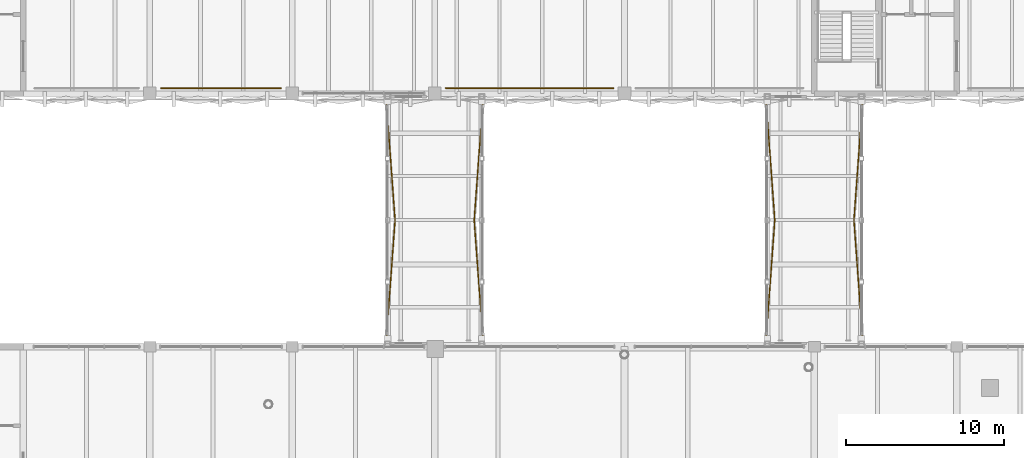
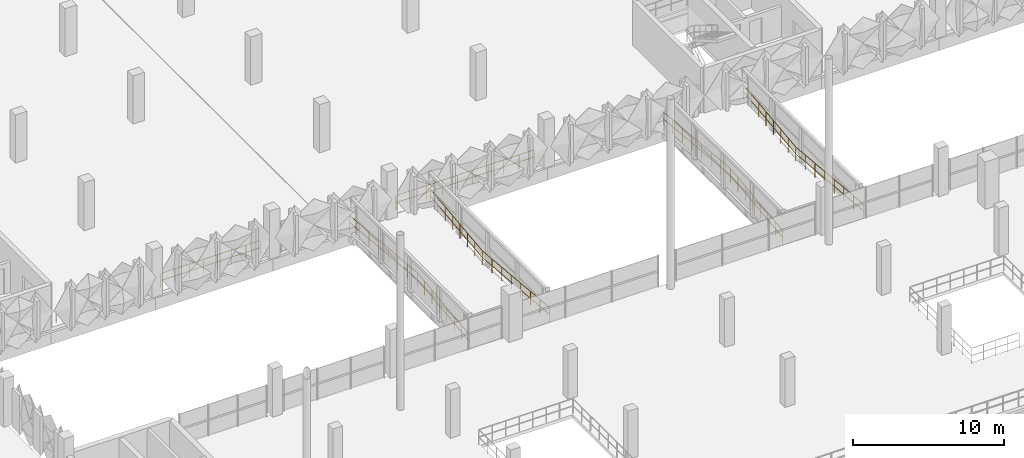
# One storey, part 113 of 123: 6 railings.
"""IFC4 building model written with IfcOpenShell, lengths in metres."""

import ifcopenshell
import ifcopenshell.guid

model = None  # the IFC model being written
_history = None  # IfcOwnerHistory: only IFC2X3 demands one
_inside = {}  # id of a spatial element -> (the spatial element, [elements in it])
_under = {}  # id of a project, library or spatial element -> (it, [spatial elements below it])
_declared = {}  # id of a project -> (the project, [libraries it declares])
_typed = {}  # id of a type object -> (the type object, [elements of that type])
_made_of = {}  # id of a material, layer set ... -> (it, [elements and type objects made of it])


def new_model(schema):
    """Start an empty IFC model of exactly this schema.

    Asked for "IFC4X3", IfcOpenShell would pick the latest addendum, in which some entities
    have other attributes; the version numbers below select the first issue.
    IFC2X3 requires an IfcOwnerHistory on every rooted entity: one is made here for all.
    """
    global model, _history
    if schema == "IFC4X3":
        model = ifcopenshell.file(schema_version=(4, 3, 0, 0))
    else:
        model = ifcopenshell.file(schema=schema)
    _inside.clear()
    _under.clear()
    _declared.clear()
    _typed.clear()
    _made_of.clear()
    _history = None
    if model.schema == "IFC2X3":
        org = make("IfcOrganization", Name="unknown")
        user = make(
            "IfcPersonAndOrganization",
            ThePerson=make("IfcPerson", FamilyName="unknown"),
            TheOrganization=org,
        )
        app = make(
            "IfcApplication",
            ApplicationDeveloper=org,
            Version="unknown",
            ApplicationFullName="unknown",
            ApplicationIdentifier="unknown",
        )
        _history = make(
            "IfcOwnerHistory",
            OwningUser=user,
            OwningApplication=app,
            ChangeAction="ADDED",
            CreationDate=0,
        )
    return model


def make(cls, **values):
    """One entity of the class cls with the attributes given. An attribute that is None is left unset."""
    return model.create_entity(
        cls, **{name: value for name, value in values.items() if value is not None}
    )


def rooted(cls, **values):
    """An entity with a GlobalId (a new one), such as an element, a storey or a relation."""
    return make(cls, GlobalId=ifcopenshell.guid.new(), OwnerHistory=_history, **values)


def si_unit(unit_type, name, prefix=None):
    """IfcSIUnit, for example si_unit("LENGTHUNIT", "METRE", prefix="MILLI")."""
    return make("IfcSIUnit", UnitType=unit_type, Prefix=prefix, Name=name)


def derived_unit(unit_type, elements):
    """IfcDerivedUnit: a product of units, each with its exponent."""
    return make(
        "IfcDerivedUnit",
        Elements=[
            make("IfcDerivedUnitElement", Unit=unit, Exponent=power)
            for unit, power in elements
        ],
        UnitType=unit_type,
    )


def assignment(units):
    """IfcUnitAssignment: the units of a project."""
    return None if units is None else make("IfcUnitAssignment", Units=units)


def point(xyz):
    """IfcCartesianPoint."""
    return None if xyz is None else make("IfcCartesianPoint", Coordinates=xyz)


def direction(xyz):
    """IfcDirection."""
    return None if xyz is None else make("IfcDirection", DirectionRatios=xyz)


def frame(location, z_axis=None, x_axis=None):
    """IfcAxis2Placement3D, a coordinate frame: its origin and axes. An axis left out is left unset."""
    return make(
        "IfcAxis2Placement3D",
        Location=point(location),
        Axis=direction(z_axis),
        RefDirection=direction(x_axis),
    )


def frame_2d(location, x_axis=None):
    """IfcAxis2Placement2D, a coordinate frame in the plane: its origin and x axis."""
    return make(
        "IfcAxis2Placement2D", Location=point(location), RefDirection=direction(x_axis)
    )


def origin():
    """The frame at (0, 0, 0) with its axes left unset."""
    return frame((0.0, 0.0, 0.0))


def origin_2d():
    """The frame at (0, 0) in the plane with its x axis left unset."""
    return frame_2d((0.0, 0.0))


def place(relative_to, where):
    """IfcLocalPlacement: puts the frame where relative to a parent placement (None: the world)."""
    return make(
        "IfcLocalPlacement", PlacementRelTo=relative_to, RelativePlacement=where
    )


def context(
    kind, dimensions, precision=None, world=None, true_north=None, identifier=None
):
    """IfcGeometricRepresentationContext, for example the 3D "Model" context."""
    return make(
        "IfcGeometricRepresentationContext",
        ContextIdentifier=identifier,
        ContextType=kind,
        CoordinateSpaceDimension=dimensions,
        Precision=precision,
        WorldCoordinateSystem=world,
        TrueNorth=true_north,
    )


def subcontext(parent, identifier, kind, view, scale=None):
    """IfcGeometricRepresentationSubContext, for example "Body" below "Model"."""
    return make(
        "IfcGeometricRepresentationSubContext",
        ContextIdentifier=identifier,
        ContextType=kind,
        ParentContext=parent,
        TargetScale=scale,
        TargetView=view,
    )


def project(units=None, contexts=None):
    """IfcProject with its units and contexts."""
    return rooted(
        "IfcProject",
        Name="project",
        RepresentationContexts=contexts,
        UnitsInContext=assignment(units),
    )


def spatial(cls, under=None, at=None, **own):
    """A site, building, storey or space (cls), placed at a placement, below another one or the project."""
    s = rooted(cls, ObjectPlacement=at, **own)
    if under is not None:
        _under.setdefault(under.id(), (under, []))[1].append(s)
    return s


def profile(cls, at=None, kind="AREA", **sizes):
    """A parametric profile (cls). Its sizes go by their IFC names, for example OverallWidth=200.0."""
    return make(cls, ProfileType=kind, Position=at, **sizes)


def circle(**sizes):
    """IfcCircleProfileDef."""
    return profile("IfcCircleProfileDef", **sizes)


def extrude(swept, where, along, depth):
    """IfcExtrudedAreaSolid: the profile swept, set in the frame where, extruded along a direction by depth."""
    return make(
        "IfcExtrudedAreaSolid",
        SweptArea=swept,
        Position=where,
        ExtrudedDirection=direction(along),
        Depth=depth,
    )


def shape(context_of_items, identifier, shape_type, items):
    """IfcShapeRepresentation: the items that make up one representation, for example the "Body"."""
    return make(
        "IfcShapeRepresentation",
        ContextOfItems=context_of_items,
        RepresentationIdentifier=identifier,
        RepresentationType=shape_type,
        Items=items,
    )


def material(Name=None, Category=None):
    """IfcMaterial."""
    return make("IfcMaterial", Name=Name, Category=Category)


def made_of(thing, what):
    """Note that an element or type object is made of a material, layer set ...; save() writes the relation."""
    if what is not None:
        _made_of.setdefault(what.id(), (what, []))[1].append(thing)
    return thing


def type_object(cls, material=None, **own):
    """A type object (cls), such as IfcWallType, which elements share."""
    return made_of(rooted(cls, **own), material)


def element(
    cls,
    number,
    at=None,
    inside=None,
    cuts=None,
    type_object=None,
    material=None,
    context=None,
    identifier="Body",
    shape_type=None,
    held_by="IfcProductDefinitionShape",
    body=None,
    shapes=None,
    **own,
):
    """One element of the class cls, such as IfcWall. Its Tag is "e" and its number.

    at: its placement. inside: the storey or other place that contains it. cuts: it is an
    opening in that element (IfcRelVoidsElement). A single representation is given by context,
    identifier, shape_type and body (its items); several are given by shapes. held_by: the class
    of the entity that holds the representations. save() writes the other relations.
    """
    e = rooted(cls, Tag="e%d" % number, ObjectPlacement=at, **own)
    if body is not None:
        shapes = [shape(context, identifier, shape_type, body)]
    if shapes is not None:
        e.Representation = make(held_by, Representations=shapes)
    if inside is not None:
        _inside.setdefault(inside.id(), (inside, []))[1].append(e)
    if cuts is not None:
        rooted(
            "IfcRelVoidsElement", RelatingBuildingElement=cuts, RelatedOpeningElement=e
        )
    if type_object is not None:
        _typed.setdefault(type_object.id(), (type_object, []))[1].append(e)
    return made_of(e, material)


def aggregate(whole, parts):
    """IfcRelAggregates: a whole, such as a stair, and the parts it consists of."""
    return rooted("IfcRelAggregates", RelatingObject=whole, RelatedObjects=parts)


def save(model, path):
    """Write the relations noted so far, then the file.

    IfcRelAggregates (storeys below a building ...), IfcRelContainedInSpatialStructure (elements
    in a storey), IfcRelDefinesByType, IfcRelAssociatesMaterial and IfcRelDeclares: one each for
    every whole, place, type object, material and project.
    """
    for whole, parts in _under.values():
        aggregate(whole, parts)
    for where, things in _inside.values():
        rooted(
            "IfcRelContainedInSpatialStructure",
            RelatedElements=things,
            RelatingStructure=where,
        )
    for kind, things in _typed.values():
        rooted("IfcRelDefinesByType", RelatedObjects=things, RelatingType=kind)
    for what, things in _made_of.values():
        rooted("IfcRelAssociatesMaterial", RelatedObjects=things, RelatingMaterial=what)
    for by, libraries in _declared.values():
        rooted("IfcRelDeclares", RelatingContext=by, RelatedDefinitions=libraries)
    model.write(path)


model = new_model("IFC4")

# Units and contexts
model_context = context("Model", 3, precision=1e-05, world=origin(), true_north=direction((0.0, 1.0)))
body_context = subcontext(model_context, "Body", "Model", "MODEL_VIEW")
ifc_project = project(units=[si_unit("LENGTHUNIT", "METRE"), si_unit("AREAUNIT", "SQUARE_METRE"), si_unit("VOLUMEUNIT", "CUBIC_METRE"), si_unit("PLANEANGLEUNIT", "RADIAN"), si_unit("MASSUNIT", "GRAM", prefix="KILO"), si_unit("THERMODYNAMICTEMPERATUREUNIT", "KELVIN"), derived_unit("THERMALTRANSMITTANCEUNIT", [(si_unit("POWERUNIT", "WATT"), 1), (si_unit("AREAUNIT", "SQUARE_METRE"), -1), (si_unit("THERMODYNAMICTEMPERATUREUNIT", "KELVIN"), -1)])], contexts=[model_context])

# Site, building, storey
site_placement = place(None, origin())
site = spatial("IfcSite", under=ifc_project, at=site_placement, CompositionType="ELEMENT")
building_placement = place(site_placement, origin())
building = spatial("IfcBuilding", under=site, at=building_placement, Name="Haiyu Intermodal Mobility Hub", CompositionType="ELEMENT")
storey_placement = place(building_placement, frame((0.0, 0.0, 5.60009765625)))
storey = spatial("IfcBuildingStorey", under=building, at=storey_placement, Name="L01", CompositionType="ELEMENT", Elevation=5.60009765625)

# Railings
ifc_material = material(Name="Steel Q355C", Category="steel")
railing_type_1 = type_object("IfcRailingType", Name="RAL-GR01", PredefinedType="GUARDRAIL", material=ifc_material)
railing_1_placement = place(storey_placement, frame((78.699951171875, 104.340087890625, 0.0)))
element("IfcRailing", 1, at=railing_1_placement, inside=storey, type_object=railing_type_1, Name="RAL-CAR-S-0115", PredefinedType="GUARDRAIL", context=body_context, shape_type="SweptSolid", body=[
    extrude(circle(Radius=0.02392578125, at=origin_2d()), frame((0.030029296875, 0.0, 1.17578125), z_axis=(1.0, 0.0, 0.0), x_axis=(0.0, 1.0, 0.0)), (0.0, 0.0, 1.0), 7.5400390625),
    extrude(circle(Radius=0.02392578125, at=origin_2d()), frame((0.037353515625, 0.0, 0.60009765625), z_axis=(1.0, 0.0, 0.0), x_axis=(0.0, 1.0, 0.0)), (0.0, 0.0, 1.0), 1.01123046875),
    extrude(circle(Radius=0.02392578125, at=origin_2d()), frame((1.123046875, 0.0, 0.60009765625), z_axis=(1.0, 0.0, 0.0), x_axis=(0.0, 1.0, 0.0)), (0.0, 0.0, 1.0), 1.01123046875),
    extrude(circle(Radius=0.02392578125, at=origin_2d()), frame((2.208740234375, 0.0, 0.60009765625), z_axis=(1.0, 0.0, 0.0), x_axis=(0.0, 1.0, 0.0)), (0.0, 0.0, 1.0), 1.01123046875),
    extrude(circle(Radius=0.02392578125, at=origin_2d()), frame((3.29443359375, 0.0, 0.60009765625), z_axis=(1.0, 0.0, 0.0), x_axis=(0.0, 1.0, 0.0)), (0.0, 0.0, 1.0), 1.01123046875),
    extrude(circle(Radius=0.02392578125, at=origin_2d()), frame((4.380126953125, 0.0, 0.60009765625), z_axis=(1.0, 0.0, 0.0), x_axis=(0.0, 1.0, 0.0)), (0.0, 0.0, 1.0), 1.01123046875),
    extrude(circle(Radius=0.02392578125, at=origin_2d()), frame((5.4658203125, 0.0, 0.60009765625), z_axis=(1.0, 0.0, 0.0), x_axis=(0.0, 1.0, 0.0)), (0.0, 0.0, 1.0), 1.01123046875),
    extrude(circle(Radius=0.02392578125, at=origin_2d()), frame((6.5517578125, 0.0, 0.60009765625), z_axis=(1.0, 0.0, 0.0), x_axis=(0.0, 1.0, 0.0)), (0.0, 0.0, 1.0), 1.01123046875),
    extrude(circle(Radius=0.02099609375, at=origin_2d()), origin(), (0.0, 0.0, 1.0), 1.143798828125),
    extrude(circle(Radius=0.02099609375, at=origin_2d()), frame((1.085693359375, 0.0, 0.0)), (0.0, 0.0, 1.0), 1.143798828125),
    extrude(circle(Radius=0.02099609375, at=origin_2d()), frame((2.17138671875, 0.0, 0.0)), (0.0, 0.0, 1.0), 1.143798828125),
    extrude(circle(Radius=0.02099609375, at=origin_2d()), frame((3.257080078125, 0.0, 0.0)), (0.0, 0.0, 1.0), 1.143798828125),
    extrude(circle(Radius=0.02099609375, at=origin_2d()), frame((4.343017578125, 0.0, 0.0)), (0.0, 0.0, 1.0), 1.143798828125),
    extrude(circle(Radius=0.02099609375, at=origin_2d()), frame((5.4287109375, 0.0, 0.0)), (0.0, 0.0, 1.0), 1.143798828125),
    extrude(circle(Radius=0.02099609375, at=origin_2d()), frame((6.514404296875, 0.0, 0.0)), (0.0, 0.0, 1.0), 1.143798828125),
    extrude(circle(Radius=0.02099609375, at=origin_2d()), frame((7.60009765625, 0.0, 0.0)), (0.0, 0.0, 1.0), 1.143798828125),
])
railing_2_placement = place(storey_placement, frame((96.699951171875, 104.340087890625, 0.0)))
element("IfcRailing", 2, at=railing_2_placement, inside=storey, type_object=railing_type_1, Name="RAL-CAR-S-0126", PredefinedType="GUARDRAIL", context=body_context, shape_type="SweptSolid", body=[
    extrude(circle(Radius=0.02392578125, at=origin_2d()), frame((0.030029296875, 0.0, 1.17578125), z_axis=(1.0, 0.0, 0.0), x_axis=(0.0, 1.0, 0.0)), (0.0, 0.0, 1.0), 10.5400390625),
    extrude(circle(Radius=0.02392578125, at=origin_2d()), frame((0.037353515625, 0.0, 0.60009765625), z_axis=(1.0, 0.0, 0.0), x_axis=(0.0, 1.0, 0.0)), (0.0, 0.0, 1.0), 1.103271484375),
    extrude(circle(Radius=0.02392578125, at=origin_2d()), frame((1.215087890625, 0.0, 0.60009765625), z_axis=(1.0, 0.0, 0.0), x_axis=(0.0, 1.0, 0.0)), (0.0, 0.0, 1.0), 1.103271484375),
    extrude(circle(Radius=0.02392578125, at=origin_2d()), frame((2.392822265625, 0.0, 0.60009765625), z_axis=(1.0, 0.0, 0.0), x_axis=(0.0, 1.0, 0.0)), (0.0, 0.0, 1.0), 1.103271484375),
    extrude(circle(Radius=0.02392578125, at=origin_2d()), frame((3.570556640625, 0.0, 0.60009765625), z_axis=(1.0, 0.0, 0.0), x_axis=(0.0, 1.0, 0.0)), (0.0, 0.0, 1.0), 1.103271484375),
    extrude(circle(Radius=0.02392578125, at=origin_2d()), frame((4.74853515625, 0.0, 0.60009765625), z_axis=(1.0, 0.0, 0.0), x_axis=(0.0, 1.0, 0.0)), (0.0, 0.0, 1.0), 1.103271484375),
    extrude(circle(Radius=0.02392578125, at=origin_2d()), frame((5.92626953125, 0.0, 0.60009765625), z_axis=(1.0, 0.0, 0.0), x_axis=(0.0, 1.0, 0.0)), (0.0, 0.0, 1.0), 1.103271484375),
    extrude(circle(Radius=0.02392578125, at=origin_2d()), frame((7.10400390625, 0.0, 0.60009765625), z_axis=(1.0, 0.0, 0.0), x_axis=(0.0, 1.0, 0.0)), (0.0, 0.0, 1.0), 1.103271484375),
    extrude(circle(Radius=0.02392578125, at=origin_2d()), frame((8.28173828125, 0.0, 0.60009765625), z_axis=(1.0, 0.0, 0.0), x_axis=(0.0, 1.0, 0.0)), (0.0, 0.0, 1.0), 1.103271484375),
    extrude(circle(Radius=0.02392578125, at=origin_2d()), frame((9.459716796875, 0.0, 0.60009765625), z_axis=(1.0, 0.0, 0.0), x_axis=(0.0, 1.0, 0.0)), (0.0, 0.0, 1.0), 1.103271484375),
    extrude(circle(Radius=0.02099609375, at=origin_2d()), origin(), (0.0, 0.0, 1.0), 1.143798828125),
    extrude(circle(Radius=0.02099609375, at=origin_2d()), frame((1.177734375, 0.0, 0.0)), (0.0, 0.0, 1.0), 1.143798828125),
    extrude(circle(Radius=0.02099609375, at=origin_2d()), frame((2.35546875, 0.0, 0.0)), (0.0, 0.0, 1.0), 1.143798828125),
    extrude(circle(Radius=0.02099609375, at=origin_2d()), frame((3.533447265625, 0.0, 0.0)), (0.0, 0.0, 1.0), 1.143798828125),
    extrude(circle(Radius=0.02099609375, at=origin_2d()), frame((4.711181640625, 0.0, 0.0)), (0.0, 0.0, 1.0), 1.143798828125),
    extrude(circle(Radius=0.02099609375, at=origin_2d()), frame((5.888916015625, 0.0, 0.0)), (0.0, 0.0, 1.0), 1.143798828125),
    extrude(circle(Radius=0.02099609375, at=origin_2d()), frame((7.066650390625, 0.0, 0.0)), (0.0, 0.0, 1.0), 1.143798828125),
    extrude(circle(Radius=0.02099609375, at=origin_2d()), frame((8.24462890625, 0.0, 0.0)), (0.0, 0.0, 1.0), 1.143798828125),
    extrude(circle(Radius=0.02099609375, at=origin_2d()), frame((9.42236328125, 0.0, 0.0)), (0.0, 0.0, 1.0), 1.143798828125),
    extrude(circle(Radius=0.02099609375, at=origin_2d()), frame((10.60009765625, 0.0, 0.0)), (0.0, 0.0, 1.0), 1.143798828125),
])
railing_type_2 = type_object("IfcRailingType", Name="RAL-GR03", PredefinedType="GUARDRAIL", material=ifc_material)
railing_3_placement = place(storey_placement, frame((92.919921875, 88.080078125, 0.0)))
element("IfcRailing", 3, at=railing_3_placement, inside=storey, type_object=railing_type_2, Name="Bridge BW West Tapered Sill Guardrail", PredefinedType="GUARDRAIL", context=body_context, shape_type="SweptSolid", body=[
    extrude(circle(Radius=0.02392578125, at=origin_2d()), frame((0.002197265625, 0.030029296875, 1.1259765625), z_axis=(0.073047240224, 0.997328481843, 0.0), x_axis=(-0.997328481843, 0.073047240224, 0.0)), (0.0, 0.0, 1.0), 7.881103515625),
    extrude(circle(Radius=0.02392578125, at=origin_2d()), frame((0.002685546875, 0.037109375, 0.574951171875), z_axis=(0.073047240224, 0.997328481843, 0.0), x_axis=(-0.997328481843, 0.073047240224, 0.0)), (0.0, 0.0, 1.0), 1.059814453125),
    extrude(circle(Radius=0.02392578125, at=origin_2d()), frame((0.085693359375, 1.168701171875, 0.574951171875), z_axis=(0.073047240224, 0.997328481843, 0.0), x_axis=(-0.997328481843, 0.073047240224, 0.0)), (0.0, 0.0, 1.0), 1.059814453125),
    extrude(circle(Radius=0.02392578125, at=origin_2d()), frame((0.16845703125, 2.300048828125, 0.574951171875), z_axis=(0.073047240224, 0.997328481843, 0.0), x_axis=(-0.997328481843, 0.073047240224, 0.0)), (0.0, 0.0, 1.0), 1.059814453125),
    extrude(circle(Radius=0.02392578125, at=origin_2d()), frame((0.251220703125, 3.431396484375, 0.574951171875), z_axis=(0.073047240224, 0.997328481843, 0.0), x_axis=(-0.997328481843, 0.073047240224, 0.0)), (0.0, 0.0, 1.0), 1.059814453125),
    extrude(circle(Radius=0.02392578125, at=origin_2d()), frame((0.334228515625, 4.562744140625, 0.574951171875), z_axis=(0.073047240224, 0.997328481843, 0.0), x_axis=(-0.997328481843, 0.073047240224, 0.0)), (0.0, 0.0, 1.0), 1.059814453125),
    extrude(circle(Radius=0.02392578125, at=origin_2d()), frame((0.4169921875, 5.6943359375, 0.574951171875), z_axis=(0.073047240224, 0.997328481843, 0.0), x_axis=(-0.997328481843, 0.073047240224, 0.0)), (0.0, 0.0, 1.0), 1.059814453125),
    extrude(circle(Radius=0.02392578125, at=origin_2d()), frame((0.5, 6.82568359375, 0.574951171875), z_axis=(0.073047240224, 0.997328481843, 0.0), x_axis=(-0.997328481843, 0.073047240224, 0.0)), (0.0, 0.0, 1.0), 1.059814453125),
    extrude(circle(Radius=0.02392578125, at=origin_2d()), frame((0.577880859375, 7.949951171875, 1.1259765625), z_axis=(-0.073047240224, 0.997328481843, 0.0), x_axis=(-0.997328481843, -0.073047240224, 0.0)), (0.0, 0.0, 1.0), 7.881103515625),
    extrude(circle(Radius=0.02392578125, at=origin_2d()), frame((0.577392578125, 7.95703125, 0.574951171875), z_axis=(-0.073047240224, 0.997328481843, 0.0), x_axis=(-0.997328481843, -0.073047240224, 0.0)), (0.0, 0.0, 1.0), 1.059814453125),
    extrude(circle(Radius=0.02392578125, at=origin_2d()), frame((0.494384765625, 9.088623046875, 0.574951171875), z_axis=(-0.073047240224, 0.997328481843, 0.0), x_axis=(-0.997328481843, -0.073047240224, 0.0)), (0.0, 0.0, 1.0), 1.059814453125),
    extrude(circle(Radius=0.02392578125, at=origin_2d()), frame((0.41162109375, 10.219970703125, 0.574951171875), z_axis=(-0.073047240224, 0.997328481843, 0.0), x_axis=(-0.997328481843, -0.073047240224, 0.0)), (0.0, 0.0, 1.0), 1.059814453125),
    extrude(circle(Radius=0.02392578125, at=origin_2d()), frame((0.328857421875, 11.351318359375, 0.574951171875), z_axis=(-0.073047240224, 0.997328481843, 0.0), x_axis=(-0.997328481843, -0.073047240224, 0.0)), (0.0, 0.0, 1.0), 1.059814453125),
    extrude(circle(Radius=0.02392578125, at=origin_2d()), frame((0.245849609375, 12.482666015625, 0.574951171875), z_axis=(-0.073047240224, 0.997328481843, 0.0), x_axis=(-0.997328481843, -0.073047240224, 0.0)), (0.0, 0.0, 1.0), 1.059814453125),
    extrude(circle(Radius=0.02392578125, at=origin_2d()), frame((0.1630859375, 13.6142578125, 0.574951171875), z_axis=(-0.073047240224, 0.997328481843, 0.0), x_axis=(-0.997328481843, -0.073047240224, 0.0)), (0.0, 0.0, 1.0), 1.059814453125),
    extrude(circle(Radius=0.02392578125, at=origin_2d()), frame((0.080078125, 14.74560546875, 0.574951171875), z_axis=(-0.073047240224, 0.997328481843, 0.0), x_axis=(-0.997328481843, -0.073047240224, 0.0)), (0.0, 0.0, 1.0), 1.059814453125),
    extrude(circle(Radius=0.02099609375, at=origin_2d()), origin(), (0.0, 0.0, 1.0), 1.09375),
    extrude(circle(Radius=0.02099609375, at=origin_2d()), frame((0.082763671875, 1.13134765625, 0.0)), (0.0, 0.0, 1.0), 1.09375),
    extrude(circle(Radius=0.02099609375, at=origin_2d()), frame((0.165771484375, 2.262939453125, 0.0)), (0.0, 0.0, 1.0), 1.09375),
    extrude(circle(Radius=0.02099609375, at=origin_2d()), frame((0.24853515625, 3.394287109375, 0.0)), (0.0, 0.0, 1.0), 1.09375),
    extrude(circle(Radius=0.02099609375, at=origin_2d()), frame((0.33154296875, 4.525634765625, 0.0)), (0.0, 0.0, 1.0), 1.09375),
    extrude(circle(Radius=0.02099609375, at=origin_2d()), frame((0.414306640625, 5.656982421875, 0.0)), (0.0, 0.0, 1.0), 1.09375),
    extrude(circle(Radius=0.02099609375, at=origin_2d()), frame((0.497314453125, 6.78857421875, 0.0)), (0.0, 0.0, 1.0), 1.09375),
    extrude(circle(Radius=0.02099609375, at=origin_2d()), frame((0.580078125, 7.919921875, 0.0)), (0.0, 0.0, 1.0), 1.09375),
    extrude(circle(Radius=0.02099609375, at=origin_2d()), frame((0.497314453125, 9.05126953125, 0.0)), (0.0, 0.0, 1.0), 1.09375),
    extrude(circle(Radius=0.02099609375, at=origin_2d()), frame((0.414306640625, 10.182861328125, 0.0)), (0.0, 0.0, 1.0), 1.09375),
    extrude(circle(Radius=0.02099609375, at=origin_2d()), frame((0.33154296875, 11.314208984375, 0.0)), (0.0, 0.0, 1.0), 1.09375),
    extrude(circle(Radius=0.02099609375, at=origin_2d()), frame((0.24853515625, 12.445556640625, 0.0)), (0.0, 0.0, 1.0), 1.09375),
    extrude(circle(Radius=0.02099609375, at=origin_2d()), frame((0.165771484375, 13.576904296875, 0.0)), (0.0, 0.0, 1.0), 1.09375),
    extrude(circle(Radius=0.02099609375, at=origin_2d()), frame((0.082763671875, 14.70849609375, 0.0)), (0.0, 0.0, 1.0), 1.09375),
    extrude(circle(Radius=0.02099609375, at=origin_2d()), frame((0.0, 15.83984375, 0.0)), (0.0, 0.0, 1.0), 1.09375),
])
railing_4_placement = place(storey_placement, frame((99.080078125, 88.080078125, 0.0)))
element("IfcRailing", 4, at=railing_4_placement, inside=storey, type_object=railing_type_2, Name="Bridge BW East Tapered Sill Guardrail", PredefinedType="GUARDRAIL", context=body_context, shape_type="SweptSolid", body=[
    extrude(circle(Radius=0.02392578125, at=origin_2d()), frame((-0.002197265625, 0.030029296875, 1.1259765625), z_axis=(-0.073047240224, 0.997328481843, 0.0), x_axis=(-0.997328481843, -0.073047240224, 0.0)), (0.0, 0.0, 1.0), 7.881103515625),
    extrude(circle(Radius=0.02392578125, at=origin_2d()), frame((-0.002685546875, 0.037109375, 0.574951171875), z_axis=(-0.073047240224, 0.997328481843, 0.0), x_axis=(-0.997328481843, -0.073047240224, 0.0)), (0.0, 0.0, 1.0), 1.059814453125),
    extrude(circle(Radius=0.02392578125, at=origin_2d()), frame((-0.085693359375, 1.168701171875, 0.574951171875), z_axis=(-0.073047240224, 0.997328481843, 0.0), x_axis=(-0.997328481843, -0.073047240224, 0.0)), (0.0, 0.0, 1.0), 1.059814453125),
    extrude(circle(Radius=0.02392578125, at=origin_2d()), frame((-0.16845703125, 2.300048828125, 0.574951171875), z_axis=(-0.073047240224, 0.997328481843, 0.0), x_axis=(-0.997328481843, -0.073047240224, 0.0)), (0.0, 0.0, 1.0), 1.059814453125),
    extrude(circle(Radius=0.02392578125, at=origin_2d()), frame((-0.251220703125, 3.431396484375, 0.574951171875), z_axis=(-0.073047240224, 0.997328481843, 0.0), x_axis=(-0.997328481843, -0.073047240224, 0.0)), (0.0, 0.0, 1.0), 1.059814453125),
    extrude(circle(Radius=0.02392578125, at=origin_2d()), frame((-0.334228515625, 4.562744140625, 0.574951171875), z_axis=(-0.073047240224, 0.997328481843, 0.0), x_axis=(-0.997328481843, -0.073047240224, 0.0)), (0.0, 0.0, 1.0), 1.059814453125),
    extrude(circle(Radius=0.02392578125, at=origin_2d()), frame((-0.4169921875, 5.6943359375, 0.574951171875), z_axis=(-0.073047240224, 0.997328481843, 0.0), x_axis=(-0.997328481843, -0.073047240224, 0.0)), (0.0, 0.0, 1.0), 1.059814453125),
    extrude(circle(Radius=0.02392578125, at=origin_2d()), frame((-0.5, 6.82568359375, 0.574951171875), z_axis=(-0.073047240224, 0.997328481843, 0.0), x_axis=(-0.997328481843, -0.073047240224, 0.0)), (0.0, 0.0, 1.0), 1.059814453125),
    extrude(circle(Radius=0.02392578125, at=origin_2d()), frame((-0.577880859375, 7.949951171875, 1.1259765625), z_axis=(0.073047240224, 0.997328481843, 0.0), x_axis=(-0.997328481843, 0.073047240224, 0.0)), (0.0, 0.0, 1.0), 7.881103515625),
    extrude(circle(Radius=0.02392578125, at=origin_2d()), frame((-0.577392578125, 7.95703125, 0.574951171875), z_axis=(0.073047240224, 0.997328481843, 0.0), x_axis=(-0.997328481843, 0.073047240224, 0.0)), (0.0, 0.0, 1.0), 1.059814453125),
    extrude(circle(Radius=0.02392578125, at=origin_2d()), frame((-0.494384765625, 9.088623046875, 0.574951171875), z_axis=(0.073047240224, 0.997328481843, 0.0), x_axis=(-0.997328481843, 0.073047240224, 0.0)), (0.0, 0.0, 1.0), 1.059814453125),
    extrude(circle(Radius=0.02392578125, at=origin_2d()), frame((-0.41162109375, 10.219970703125, 0.574951171875), z_axis=(0.073047240224, 0.997328481843, 0.0), x_axis=(-0.997328481843, 0.073047240224, 0.0)), (0.0, 0.0, 1.0), 1.059814453125),
    extrude(circle(Radius=0.02392578125, at=origin_2d()), frame((-0.328857421875, 11.351318359375, 0.574951171875), z_axis=(0.073047240224, 0.997328481843, 0.0), x_axis=(-0.997328481843, 0.073047240224, 0.0)), (0.0, 0.0, 1.0), 1.059814453125),
    extrude(circle(Radius=0.02392578125, at=origin_2d()), frame((-0.245849609375, 12.482666015625, 0.574951171875), z_axis=(0.073047240224, 0.997328481843, 0.0), x_axis=(-0.997328481843, 0.073047240224, 0.0)), (0.0, 0.0, 1.0), 1.059814453125),
    extrude(circle(Radius=0.02392578125, at=origin_2d()), frame((-0.1630859375, 13.6142578125, 0.574951171875), z_axis=(0.073047240224, 0.997328481843, 0.0), x_axis=(-0.997328481843, 0.073047240224, 0.0)), (0.0, 0.0, 1.0), 1.059814453125),
    extrude(circle(Radius=0.02392578125, at=origin_2d()), frame((-0.080078125, 14.74560546875, 0.574951171875), z_axis=(0.073047240224, 0.997328481843, 0.0), x_axis=(-0.997328481843, 0.073047240224, 0.0)), (0.0, 0.0, 1.0), 1.059814453125),
    extrude(circle(Radius=0.02099609375, at=origin_2d()), origin(), (0.0, 0.0, 1.0), 1.09375),
    extrude(circle(Radius=0.02099609375, at=origin_2d()), frame((-0.082763671875, 1.13134765625, 0.0)), (0.0, 0.0, 1.0), 1.09375),
    extrude(circle(Radius=0.02099609375, at=origin_2d()), frame((-0.165771484375, 2.262939453125, 0.0)), (0.0, 0.0, 1.0), 1.09375),
    extrude(circle(Radius=0.02099609375, at=origin_2d()), frame((-0.24853515625, 3.394287109375, 0.0)), (0.0, 0.0, 1.0), 1.09375),
    extrude(circle(Radius=0.02099609375, at=origin_2d()), frame((-0.33154296875, 4.525634765625, 0.0)), (0.0, 0.0, 1.0), 1.09375),
    extrude(circle(Radius=0.02099609375, at=origin_2d()), frame((-0.414306640625, 5.656982421875, 0.0)), (0.0, 0.0, 1.0), 1.09375),
    extrude(circle(Radius=0.02099609375, at=origin_2d()), frame((-0.497314453125, 6.78857421875, 0.0)), (0.0, 0.0, 1.0), 1.09375),
    extrude(circle(Radius=0.02099609375, at=origin_2d()), frame((-0.580078125, 7.919921875, 0.0)), (0.0, 0.0, 1.0), 1.09375),
    extrude(circle(Radius=0.02099609375, at=origin_2d()), frame((-0.497314453125, 9.05126953125, 0.0)), (0.0, 0.0, 1.0), 1.09375),
    extrude(circle(Radius=0.02099609375, at=origin_2d()), frame((-0.414306640625, 10.182861328125, 0.0)), (0.0, 0.0, 1.0), 1.09375),
    extrude(circle(Radius=0.02099609375, at=origin_2d()), frame((-0.33154296875, 11.314208984375, 0.0)), (0.0, 0.0, 1.0), 1.09375),
    extrude(circle(Radius=0.02099609375, at=origin_2d()), frame((-0.24853515625, 12.445556640625, 0.0)), (0.0, 0.0, 1.0), 1.09375),
    extrude(circle(Radius=0.02099609375, at=origin_2d()), frame((-0.165771484375, 13.576904296875, 0.0)), (0.0, 0.0, 1.0), 1.09375),
    extrude(circle(Radius=0.02099609375, at=origin_2d()), frame((-0.082763671875, 14.70849609375, 0.0)), (0.0, 0.0, 1.0), 1.09375),
    extrude(circle(Radius=0.02099609375, at=origin_2d()), frame((0.0, 15.83984375, 0.0)), (0.0, 0.0, 1.0), 1.09375),
])
railing_5_placement = place(storey_placement, frame((116.919921875, 88.080078125, 0.0)))
element("IfcRailing", 5, at=railing_5_placement, inside=storey, type_object=railing_type_2, Name="Bridge BE West Tapered Sill Guardrail", PredefinedType="GUARDRAIL", context=body_context, shape_type="SweptSolid", body=[
    extrude(circle(Radius=0.02392578125, at=origin_2d()), frame((0.002197265625, 0.030029296875, 1.1259765625), z_axis=(0.073047240224, 0.997328481843, 0.0), x_axis=(-0.997328481843, 0.073047240224, 0.0)), (0.0, 0.0, 1.0), 7.881103515625),
    extrude(circle(Radius=0.02392578125, at=origin_2d()), frame((0.002685546875, 0.037109375, 0.574951171875), z_axis=(0.073047240224, 0.997328481843, 0.0), x_axis=(-0.997328481843, 0.073047240224, 0.0)), (0.0, 0.0, 1.0), 1.059814453125),
    extrude(circle(Radius=0.02392578125, at=origin_2d()), frame((0.085693359375, 1.168701171875, 0.574951171875), z_axis=(0.073047240224, 0.997328481843, 0.0), x_axis=(-0.997328481843, 0.073047240224, 0.0)), (0.0, 0.0, 1.0), 1.059814453125),
    extrude(circle(Radius=0.02392578125, at=origin_2d()), frame((0.16845703125, 2.300048828125, 0.574951171875), z_axis=(0.073047240224, 0.997328481843, 0.0), x_axis=(-0.997328481843, 0.073047240224, 0.0)), (0.0, 0.0, 1.0), 1.059814453125),
    extrude(circle(Radius=0.02392578125, at=origin_2d()), frame((0.251220703125, 3.431396484375, 0.574951171875), z_axis=(0.073047240224, 0.997328481843, 0.0), x_axis=(-0.997328481843, 0.073047240224, 0.0)), (0.0, 0.0, 1.0), 1.059814453125),
    extrude(circle(Radius=0.02392578125, at=origin_2d()), frame((0.334228515625, 4.562744140625, 0.574951171875), z_axis=(0.073047240224, 0.997328481843, 0.0), x_axis=(-0.997328481843, 0.073047240224, 0.0)), (0.0, 0.0, 1.0), 1.059814453125),
    extrude(circle(Radius=0.02392578125, at=origin_2d()), frame((0.4169921875, 5.6943359375, 0.574951171875), z_axis=(0.073047240224, 0.997328481843, 0.0), x_axis=(-0.997328481843, 0.073047240224, 0.0)), (0.0, 0.0, 1.0), 1.059814453125),
    extrude(circle(Radius=0.02392578125, at=origin_2d()), frame((0.5, 6.82568359375, 0.574951171875), z_axis=(0.073047240224, 0.997328481843, 0.0), x_axis=(-0.997328481843, 0.073047240224, 0.0)), (0.0, 0.0, 1.0), 1.059814453125),
    extrude(circle(Radius=0.02392578125, at=origin_2d()), frame((0.577880859375, 7.949951171875, 1.1259765625), z_axis=(-0.073047240224, 0.997328481843, 0.0), x_axis=(-0.997328481843, -0.073047240224, 0.0)), (0.0, 0.0, 1.0), 7.881103515625),
    extrude(circle(Radius=0.02392578125, at=origin_2d()), frame((0.577392578125, 7.95703125, 0.574951171875), z_axis=(-0.073047240224, 0.997328481843, 0.0), x_axis=(-0.997328481843, -0.073047240224, 0.0)), (0.0, 0.0, 1.0), 1.059814453125),
    extrude(circle(Radius=0.02392578125, at=origin_2d()), frame((0.494384765625, 9.088623046875, 0.574951171875), z_axis=(-0.073047240224, 0.997328481843, 0.0), x_axis=(-0.997328481843, -0.073047240224, 0.0)), (0.0, 0.0, 1.0), 1.059814453125),
    extrude(circle(Radius=0.02392578125, at=origin_2d()), frame((0.41162109375, 10.219970703125, 0.574951171875), z_axis=(-0.073047240224, 0.997328481843, 0.0), x_axis=(-0.997328481843, -0.073047240224, 0.0)), (0.0, 0.0, 1.0), 1.059814453125),
    extrude(circle(Radius=0.02392578125, at=origin_2d()), frame((0.328857421875, 11.351318359375, 0.574951171875), z_axis=(-0.073047240224, 0.997328481843, 0.0), x_axis=(-0.997328481843, -0.073047240224, 0.0)), (0.0, 0.0, 1.0), 1.059814453125),
    extrude(circle(Radius=0.02392578125, at=origin_2d()), frame((0.245849609375, 12.482666015625, 0.574951171875), z_axis=(-0.073047240224, 0.997328481843, 0.0), x_axis=(-0.997328481843, -0.073047240224, 0.0)), (0.0, 0.0, 1.0), 1.059814453125),
    extrude(circle(Radius=0.02392578125, at=origin_2d()), frame((0.1630859375, 13.6142578125, 0.574951171875), z_axis=(-0.073047240224, 0.997328481843, 0.0), x_axis=(-0.997328481843, -0.073047240224, 0.0)), (0.0, 0.0, 1.0), 1.059814453125),
    extrude(circle(Radius=0.02392578125, at=origin_2d()), frame((0.080078125, 14.74560546875, 0.574951171875), z_axis=(-0.073047240224, 0.997328481843, 0.0), x_axis=(-0.997328481843, -0.073047240224, 0.0)), (0.0, 0.0, 1.0), 1.059814453125),
    extrude(circle(Radius=0.02099609375, at=origin_2d()), origin(), (0.0, 0.0, 1.0), 1.09375),
    extrude(circle(Radius=0.02099609375, at=origin_2d()), frame((0.082763671875, 1.13134765625, 0.0)), (0.0, 0.0, 1.0), 1.09375),
    extrude(circle(Radius=0.02099609375, at=origin_2d()), frame((0.165771484375, 2.262939453125, 0.0)), (0.0, 0.0, 1.0), 1.09375),
    extrude(circle(Radius=0.02099609375, at=origin_2d()), frame((0.24853515625, 3.394287109375, 0.0)), (0.0, 0.0, 1.0), 1.09375),
    extrude(circle(Radius=0.02099609375, at=origin_2d()), frame((0.33154296875, 4.525634765625, 0.0)), (0.0, 0.0, 1.0), 1.09375),
    extrude(circle(Radius=0.02099609375, at=origin_2d()), frame((0.414306640625, 5.656982421875, 0.0)), (0.0, 0.0, 1.0), 1.09375),
    extrude(circle(Radius=0.02099609375, at=origin_2d()), frame((0.497314453125, 6.78857421875, 0.0)), (0.0, 0.0, 1.0), 1.09375),
    extrude(circle(Radius=0.02099609375, at=origin_2d()), frame((0.580078125, 7.919921875, 0.0)), (0.0, 0.0, 1.0), 1.09375),
    extrude(circle(Radius=0.02099609375, at=origin_2d()), frame((0.497314453125, 9.05126953125, 0.0)), (0.0, 0.0, 1.0), 1.09375),
    extrude(circle(Radius=0.02099609375, at=origin_2d()), frame((0.414306640625, 10.182861328125, 0.0)), (0.0, 0.0, 1.0), 1.09375),
    extrude(circle(Radius=0.02099609375, at=origin_2d()), frame((0.33154296875, 11.314208984375, 0.0)), (0.0, 0.0, 1.0), 1.09375),
    extrude(circle(Radius=0.02099609375, at=origin_2d()), frame((0.24853515625, 12.445556640625, 0.0)), (0.0, 0.0, 1.0), 1.09375),
    extrude(circle(Radius=0.02099609375, at=origin_2d()), frame((0.165771484375, 13.576904296875, 0.0)), (0.0, 0.0, 1.0), 1.09375),
    extrude(circle(Radius=0.02099609375, at=origin_2d()), frame((0.082763671875, 14.70849609375, 0.0)), (0.0, 0.0, 1.0), 1.09375),
    extrude(circle(Radius=0.02099609375, at=origin_2d()), frame((0.0, 15.83984375, 0.0)), (0.0, 0.0, 1.0), 1.09375),
])
railing_6_placement = place(storey_placement, frame((123.080078125, 88.080078125, 0.0)))
element("IfcRailing", 6, at=railing_6_placement, inside=storey, type_object=railing_type_2, Name="Bridge BE East Tapered Sill Guardrail", PredefinedType="GUARDRAIL", context=body_context, shape_type="SweptSolid", body=[
    extrude(circle(Radius=0.02392578125, at=origin_2d()), frame((-0.002197265625, 0.030029296875, 1.1259765625), z_axis=(-0.073047240224, 0.997328481843, 0.0), x_axis=(-0.997328481843, -0.073047240224, 0.0)), (0.0, 0.0, 1.0), 7.881103515625),
    extrude(circle(Radius=0.02392578125, at=origin_2d()), frame((-0.002685546875, 0.037109375, 0.574951171875), z_axis=(-0.073047240224, 0.997328481843, 0.0), x_axis=(-0.997328481843, -0.073047240224, 0.0)), (0.0, 0.0, 1.0), 1.059814453125),
    extrude(circle(Radius=0.02392578125, at=origin_2d()), frame((-0.085693359375, 1.168701171875, 0.574951171875), z_axis=(-0.073047240224, 0.997328481843, 0.0), x_axis=(-0.997328481843, -0.073047240224, 0.0)), (0.0, 0.0, 1.0), 1.059814453125),
    extrude(circle(Radius=0.02392578125, at=origin_2d()), frame((-0.16845703125, 2.300048828125, 0.574951171875), z_axis=(-0.073047240224, 0.997328481843, 0.0), x_axis=(-0.997328481843, -0.073047240224, 0.0)), (0.0, 0.0, 1.0), 1.059814453125),
    extrude(circle(Radius=0.02392578125, at=origin_2d()), frame((-0.251220703125, 3.431396484375, 0.574951171875), z_axis=(-0.073047240224, 0.997328481843, 0.0), x_axis=(-0.997328481843, -0.073047240224, 0.0)), (0.0, 0.0, 1.0), 1.059814453125),
    extrude(circle(Radius=0.02392578125, at=origin_2d()), frame((-0.334228515625, 4.562744140625, 0.574951171875), z_axis=(-0.073047240224, 0.997328481843, 0.0), x_axis=(-0.997328481843, -0.073047240224, 0.0)), (0.0, 0.0, 1.0), 1.059814453125),
    extrude(circle(Radius=0.02392578125, at=origin_2d()), frame((-0.4169921875, 5.6943359375, 0.574951171875), z_axis=(-0.073047240224, 0.997328481843, 0.0), x_axis=(-0.997328481843, -0.073047240224, 0.0)), (0.0, 0.0, 1.0), 1.059814453125),
    extrude(circle(Radius=0.02392578125, at=origin_2d()), frame((-0.5, 6.82568359375, 0.574951171875), z_axis=(-0.073047240224, 0.997328481843, 0.0), x_axis=(-0.997328481843, -0.073047240224, 0.0)), (0.0, 0.0, 1.0), 1.059814453125),
    extrude(circle(Radius=0.02392578125, at=origin_2d()), frame((-0.577880859375, 7.949951171875, 1.1259765625), z_axis=(0.073047240224, 0.997328481843, 0.0), x_axis=(-0.997328481843, 0.073047240224, 0.0)), (0.0, 0.0, 1.0), 7.881103515625),
    extrude(circle(Radius=0.02392578125, at=origin_2d()), frame((-0.577392578125, 7.95703125, 0.574951171875), z_axis=(0.073047240224, 0.997328481843, 0.0), x_axis=(-0.997328481843, 0.073047240224, 0.0)), (0.0, 0.0, 1.0), 1.059814453125),
    extrude(circle(Radius=0.02392578125, at=origin_2d()), frame((-0.494384765625, 9.088623046875, 0.574951171875), z_axis=(0.073047240224, 0.997328481843, 0.0), x_axis=(-0.997328481843, 0.073047240224, 0.0)), (0.0, 0.0, 1.0), 1.059814453125),
    extrude(circle(Radius=0.02392578125, at=origin_2d()), frame((-0.41162109375, 10.219970703125, 0.574951171875), z_axis=(0.073047240224, 0.997328481843, 0.0), x_axis=(-0.997328481843, 0.073047240224, 0.0)), (0.0, 0.0, 1.0), 1.059814453125),
    extrude(circle(Radius=0.02392578125, at=origin_2d()), frame((-0.328857421875, 11.351318359375, 0.574951171875), z_axis=(0.073047240224, 0.997328481843, 0.0), x_axis=(-0.997328481843, 0.073047240224, 0.0)), (0.0, 0.0, 1.0), 1.059814453125),
    extrude(circle(Radius=0.02392578125, at=origin_2d()), frame((-0.245849609375, 12.482666015625, 0.574951171875), z_axis=(0.073047240224, 0.997328481843, 0.0), x_axis=(-0.997328481843, 0.073047240224, 0.0)), (0.0, 0.0, 1.0), 1.059814453125),
    extrude(circle(Radius=0.02392578125, at=origin_2d()), frame((-0.1630859375, 13.6142578125, 0.574951171875), z_axis=(0.073047240224, 0.997328481843, 0.0), x_axis=(-0.997328481843, 0.073047240224, 0.0)), (0.0, 0.0, 1.0), 1.059814453125),
    extrude(circle(Radius=0.02392578125, at=origin_2d()), frame((-0.080078125, 14.74560546875, 0.574951171875), z_axis=(0.073047240224, 0.997328481843, 0.0), x_axis=(-0.997328481843, 0.073047240224, 0.0)), (0.0, 0.0, 1.0), 1.059814453125),
    extrude(circle(Radius=0.02099609375, at=origin_2d()), origin(), (0.0, 0.0, 1.0), 1.09375),
    extrude(circle(Radius=0.02099609375, at=origin_2d()), frame((-0.082763671875, 1.13134765625, 0.0)), (0.0, 0.0, 1.0), 1.09375),
    extrude(circle(Radius=0.02099609375, at=origin_2d()), frame((-0.165771484375, 2.262939453125, 0.0)), (0.0, 0.0, 1.0), 1.09375),
    extrude(circle(Radius=0.02099609375, at=origin_2d()), frame((-0.24853515625, 3.394287109375, 0.0)), (0.0, 0.0, 1.0), 1.09375),
    extrude(circle(Radius=0.02099609375, at=origin_2d()), frame((-0.33154296875, 4.525634765625, 0.0)), (0.0, 0.0, 1.0), 1.09375),
    extrude(circle(Radius=0.02099609375, at=origin_2d()), frame((-0.414306640625, 5.656982421875, 0.0)), (0.0, 0.0, 1.0), 1.09375),
    extrude(circle(Radius=0.02099609375, at=origin_2d()), frame((-0.497314453125, 6.78857421875, 0.0)), (0.0, 0.0, 1.0), 1.09375),
    extrude(circle(Radius=0.02099609375, at=origin_2d()), frame((-0.580078125, 7.919921875, 0.0)), (0.0, 0.0, 1.0), 1.09375),
    extrude(circle(Radius=0.02099609375, at=origin_2d()), frame((-0.497314453125, 9.05126953125, 0.0)), (0.0, 0.0, 1.0), 1.09375),
    extrude(circle(Radius=0.02099609375, at=origin_2d()), frame((-0.414306640625, 10.182861328125, 0.0)), (0.0, 0.0, 1.0), 1.09375),
    extrude(circle(Radius=0.02099609375, at=origin_2d()), frame((-0.33154296875, 11.314208984375, 0.0)), (0.0, 0.0, 1.0), 1.09375),
    extrude(circle(Radius=0.02099609375, at=origin_2d()), frame((-0.24853515625, 12.445556640625, 0.0)), (0.0, 0.0, 1.0), 1.09375),
    extrude(circle(Radius=0.02099609375, at=origin_2d()), frame((-0.165771484375, 13.576904296875, 0.0)), (0.0, 0.0, 1.0), 1.09375),
    extrude(circle(Radius=0.02099609375, at=origin_2d()), frame((-0.082763671875, 14.70849609375, 0.0)), (0.0, 0.0, 1.0), 1.09375),
    extrude(circle(Radius=0.02099609375, at=origin_2d()), frame((0.0, 15.83984375, 0.0)), (0.0, 0.0, 1.0), 1.09375),
])

save(model, "model.ifc")
